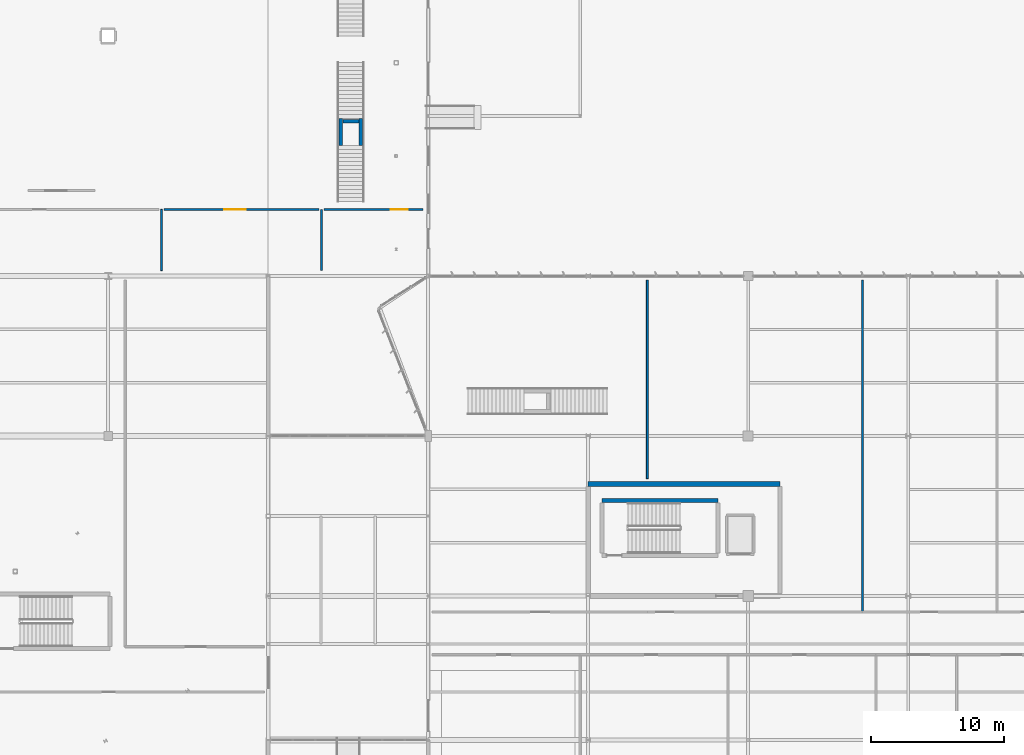
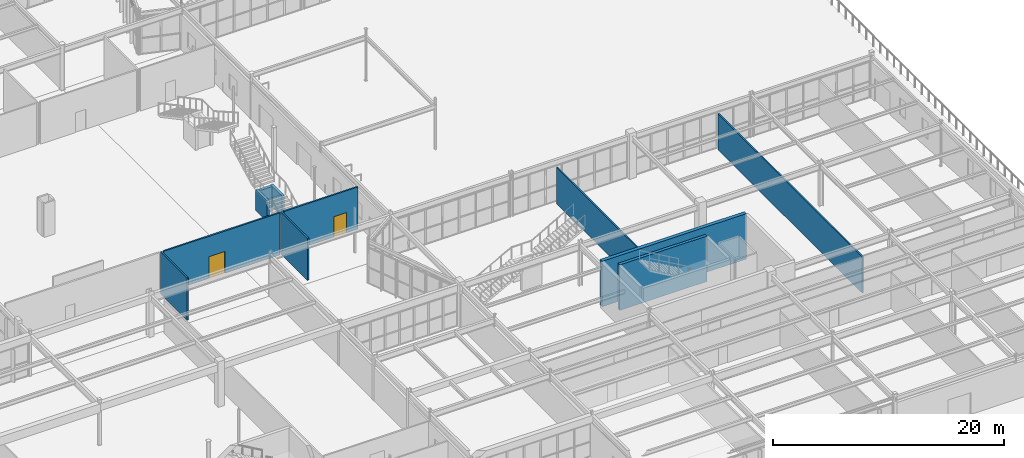
# One storey, part 168 of 199: 11 walls, 2 doors, 2 openings.
"""IFC4 building model written with IfcOpenShell, lengths in metres."""

from ifc_helpers import new_model, si_unit, direction, frame, frame_2d, origin, place, context, subcontext, project, spatial, rectangle, extrude, material, layer, layer_set, type_object, element, fill, save


model = new_model("IFC4")

# Units and contexts
model_context = context("Model", 3, precision=1e-05, world=origin(), true_north=direction((0.0, 1.0)))
body_context = subcontext(model_context, "Body", "Model", "MODEL_VIEW")
ifc_project = project(units=[si_unit("LENGTHUNIT", "METRE"), si_unit("AREAUNIT", "SQUARE_METRE"), si_unit("VOLUMEUNIT", "CUBIC_METRE"), si_unit("PLANEANGLEUNIT", "RADIAN"), si_unit("MASSUNIT", "GRAM", prefix="KILO")], contexts=[model_context])

# Site, building, storey
site_placement = place(None, origin())
site = spatial("IfcSite", under=ifc_project, at=site_placement, CompositionType="ELEMENT")
building_placement = place(site_placement, origin())
building = spatial("IfcBuilding", under=site, at=building_placement, Name="Tarnwether General Hospital", CompositionType="ELEMENT")
storey_placement = place(building_placement, origin())
storey = spatial("IfcBuildingStorey", under=building, at=storey_placement, Name="L00", CompositionType="ELEMENT", Elevation=0.0)

# Walls
ifc_material_1 = material(Name="Gypsum plasterboard")
ifc_layer_1 = layer(ifc_material_1, 0.139892578125)
ifc_layer_set_1 = layer_set([ifc_layer_1], Name="Gypsum plasterboard")
wall_type_1 = type_object("IfcWallType", Name="WL-PT140", PredefinedType="PARTITIONING", material=ifc_layer_set_1)
wall_1_placement = place(storey_placement, frame((124.0, 46.0, 0.0), z_axis=(0.0, 0.0, 1.0), x_axis=(0.0, 1.0, 0.0)))
element("IfcWall", 1, at=wall_1_placement, inside=storey, type_object=wall_type_1, Name="Interior Partition PT-L00-0056", PredefinedType="PARTITIONING", context=body_context, shape_type="SweptSolid", body=[
    extrude(rectangle(XDim=4.60009765625, YDim=0.139892578125, at=frame_2d((2.300048828125, 0.0))), origin(), (0.0, 0.0, 1.0), 4.445068359375),
])
wall_2_placement = place(storey_placement, frame((160.43603515625, 30.39990234375, 0.0), z_axis=(0.0, 0.0, 1.0), x_axis=(0.0, 1.0, 0.0)))
element("IfcWall", 2, at=wall_2_placement, inside=storey, type_object=wall_type_1, Name="Interior Partition PT-L00-0140", PredefinedType="PARTITIONING", context=body_context, shape_type="SweptSolid", body=[
    extrude(rectangle(XDim=14.900146484375, YDim=0.139892578125, at=frame_2d((7.4501953125, 0.0))), origin(), (0.0, 0.0, 1.0), 3.818115234375),
])
wall_3_placement = place(storey_placement, frame((176.572021484375, 20.39990234375, 0.0), z_axis=(0.0, 0.0, 1.0), x_axis=(0.0, 1.0, 0.0)))
element("IfcWall", 3, at=wall_3_placement, inside=storey, type_object=wall_type_1, Name="Interior Partition PT-L00-0142", PredefinedType="PARTITIONING", context=body_context, shape_type="SweptSolid", body=[
    extrude(rectangle(XDim=24.900146484375, YDim=0.139892578125, at=frame_2d((12.4501953125, 0.0))), origin(), (0.0, 0.0, 1.0), 3.818115234375),
])

# Wall, opening, door
ifc_material_2 = material(Name="Gypsum plasterboard")
ifc_layer_2 = layer(ifc_material_2, 0.159912109375)
ifc_layer_set_2 = layer_set([ifc_layer_2], Name="Gypsum plasterboard")
wall_type_2 = type_object("IfcWallType", Name="WL-PT160", PredefinedType="PARTITIONING", material=ifc_layer_set_2)
wall_4_placement = place(storey_placement, frame((124.199951171875, 50.60009765625, 0.0), z_axis=(0.0, 0.0, 1.0), x_axis=(1.0, 0.0, 0.0)))
wall_4 = element("IfcWall", 4, at=wall_4_placement, inside=storey, type_object=wall_type_2, Name="Interior Partition PT-L00-0054", PredefinedType="PARTITIONING", context=body_context, shape_type="SweptSolid", body=[
    extrude(rectangle(XDim=11.60009765625, YDim=0.159912109375, at=frame_2d((5.800048828125, 0.0))), origin(), (0.0, 0.0, 1.0), 4.445068359375),
])
opening_1_placement = place(wall_4_placement, frame((4.5, 0.0, 0.0)))
opening_1 = element("IfcOpeningElement", 5, at=opening_1_placement, cuts=wall_4, Name="Opening SD-02", PredefinedType="OPENING", context=body_context, shape_type="SweptSolid", body=[
    extrude(rectangle(XDim=1.6201171875, YDim=2.300048828125, at=frame_2d((0.81005859375, 1.14990234375))), frame((0.0, 0.08984375, 0.0), z_axis=(0.0, -1.0, 0.0), x_axis=(1.0, 0.0, 0.0)), (0.0, 0.0, 1.0), 0.179931640625),
])
ifc_material_3 = material(Name="Anodised aluminium", Category="aluminium")
door_type_1 = type_object("IfcDoorType", Name="DR-OR02", OperationType="NOTDEFINED", PredefinedType="DOOR", material=ifc_material_3)
door_1_placement = place(opening_1_placement, origin())
door_1 = element("IfcDoor", 6, at=door_1_placement, inside=storey, type_object=door_type_1, Name="Interior Door DR-L00-0032", OperationType="SLIDING_TO_RIGHT", OverallHeight=2.300048828125, OverallWidth=1.6201171875, PredefinedType="DOOR", context=body_context, shape_type="SweptSolid", body=[
    extrude(rectangle(XDim=1.6201171875, YDim=2.300048828125, at=frame_2d((0.81005859375, 1.14990234375))), frame((0.0, 0.02490234375, 0.0), z_axis=(0.0, -1.0, 0.0), x_axis=(1.0, 0.0, 0.0)), (0.0, 0.0, 1.0), 0.050048828125),
])
fill(opening_1, door_1)

wall_5_placement = place(storey_placement, frame((136.199951171875, 50.60009765625, 0.0), z_axis=(0.0, 0.0, 1.0), x_axis=(1.0, 0.0, 0.0)))
wall_5 = element("IfcWall", 7, at=wall_5_placement, inside=storey, type_object=wall_type_2, Name="Interior Partition PT-L00-0055", PredefinedType="PARTITIONING", context=body_context, shape_type="SweptSolid", body=[
    extrude(rectangle(XDim=7.400146484375, YDim=0.159912109375, at=frame_2d((3.7001953125, 0.0))), origin(), (0.0, 0.0, 1.0), 4.445068359375),
])
opening_2_placement = place(wall_5_placement, frame((5.0, 0.0, 0.0)))
opening_2 = element("IfcOpeningElement", 8, at=opening_2_placement, cuts=wall_5, Name="Opening FD-05", PredefinedType="OPENING", context=body_context, shape_type="SweptSolid", body=[
    extrude(rectangle(XDim=1.25, YDim=2.14990234375, at=frame_2d((0.625, 1.074951171875))), frame((0.0, 0.08984375, 0.0), z_axis=(0.0, -1.0, 0.0), x_axis=(1.0, 0.0, 0.0)), (0.0, 0.0, 1.0), 0.179931640625),
])
ifc_material_4 = material(Name="Anodised aluminium", Category="aluminium")
door_type_2 = type_object("IfcDoorType", Name="DR-FD05", OperationType="NOTDEFINED", PredefinedType="DOOR", material=ifc_material_4)
door_2_placement = place(opening_2_placement, origin())
door_2 = element("IfcDoor", 9, at=door_2_placement, inside=storey, type_object=door_type_2, Name="Interior Door DR-L00-0033", OperationType="SINGLE_SWING_LEFT", OverallHeight=2.14990234375, OverallWidth=1.25, PredefinedType="DOOR", context=body_context, shape_type="SweptSolid", body=[
    extrude(rectangle(XDim=1.25, YDim=2.14990234375, at=frame_2d((0.625, 1.074951171875))), frame((0.0, 0.02490234375, 0.0), z_axis=(0.0, -1.0, 0.0), x_axis=(1.0, 0.0, 0.0)), (0.0, 0.0, 1.0), 0.050048828125),
])
fill(opening_2, door_2)

# Walls
wall_6_placement = place(storey_placement, frame((136.0, 46.0, 0.0), z_axis=(0.0, 0.0, 1.0), x_axis=(0.0, 1.0, 0.0)))
element("IfcWall", 10, at=wall_6_placement, inside=storey, type_object=wall_type_2, Name="Interior Partition PT-L00-0057", PredefinedType="PARTITIONING", context=body_context, shape_type="SweptSolid", body=[
    extrude(rectangle(XDim=4.60009765625, YDim=0.159912109375, at=frame_2d((2.300048828125, 0.0))), origin(), (0.0, 0.0, 1.0), 4.445068359375),
])
ifc_material_5 = material(Name="Concrete 50 MPa", Category="concrete")
ifc_layer_3 = layer(ifc_material_5, 0.25)
ifc_layer_set_3 = layer_set([ifc_layer_3], Name="Concrete 50 MPa")
wall_type_3 = type_object("IfcWallType", Name="WL-SW250", PredefinedType="SHEAR", material=ifc_layer_set_3)
for number, where, z_axis, x_axis, name in (
    (11, (138.949951171875, 55.39990234375, 0.0), (0.0, 0.0, 1.0), (0.0, 1.0, 0.0), "Feature Stair Support Fin Wall ST-11 L"),
    (12, (137.449951171875, 55.39990234375, 0.0), (0.0, 0.0, 1.0), (0.0, 1.0, 0.0), "Feature Stair Support Fin Wall ST-11 R"),
):
    element("IfcWall", number, at=place(storey_placement, frame(where, z_axis=z_axis, x_axis=x_axis)), inside=storey, type_object=wall_type_3, Name=name, PredefinedType="SHEAR", context=body_context, shape_type="SweptSolid", body=[
        extrude(rectangle(XDim=2.0, YDim=0.25, at=frame_2d((1.0, 0.0))), origin(), (0.0, 0.0, 1.0), 2.199951171875),
    ])
wall_7_placement = place(storey_placement, frame((138.800048828125, 57.199951171875, 0.0), z_axis=(0.0, 0.0, 1.0), x_axis=(-1.0, 0.0, 0.0)))
element("IfcWall", 13, at=wall_7_placement, inside=storey, type_object=wall_type_3, Name="Feature Stair Support Fin Wall ST-11 M", PredefinedType="SHEAR", context=body_context, shape_type="SweptSolid", body=[
    extrude(rectangle(XDim=1.199951171875, YDim=0.25, at=frame_2d((0.60009765625, 0.0))), origin(), (0.0, 0.0, 1.0), 2.199951171875),
])
ifc_material_6 = material(Name="Concrete 50 MPa", Category="concrete")
ifc_layer_4 = layer(ifc_material_6, 0.300048828125)
ifc_layer_set_4 = layer_set([ifc_layer_4], Name="Concrete 50 MPa")
wall_type_4 = type_object("IfcWallType", Name="WL-SW300", PredefinedType="SHEAR", material=ifc_layer_set_4)
wall_8_placement = place(storey_placement, frame((165.75, 28.75, 0.0), z_axis=(0.0, 0.0, 1.0), x_axis=(-1.0, 0.0, 0.0)))
element("IfcWall", 14, at=wall_8_placement, inside=storey, type_object=wall_type_4, Name="Stairwell Shear Wall STW-ST-05-L00-N", PredefinedType="SHEAR", context=body_context, shape_type="SweptSolid", body=[
    extrude(rectangle(XDim=8.699951171875, YDim=0.300048828125, at=frame_2d((4.35009765625, 0.0))), origin(), (0.0, 0.0, 1.0), 4.800048828125),
])
ifc_material_7 = material(Name="Concrete 50 MPa", Category="concrete")
ifc_layer_5 = layer(ifc_material_7, 0.35009765625)
ifc_layer_set_5 = layer_set([ifc_layer_5], Name="Concrete 50 MPa")
wall_type_5 = type_object("IfcWallType", Name="WL-SW350", PredefinedType="SHEAR", material=ifc_layer_set_5)
wall_9_placement = place(storey_placement, frame((156.0, 30.0, 0.0), z_axis=(0.0, 0.0, 1.0), x_axis=(1.0, 0.0, 0.0)))
element("IfcWall", 15, at=wall_9_placement, inside=storey, type_object=wall_type_5, Name="Core Shear Wall CWALL-K5-L00-N", PredefinedType="SHEAR", context=body_context, shape_type="SweptSolid", body=[
    extrude(rectangle(XDim=14.39990234375, YDim=0.35009765625, at=frame_2d((7.199951171875, 0.0))), origin(), (0.0, 0.0, 1.0), 4.800048828125),
])

save(model, "model.ifc")
